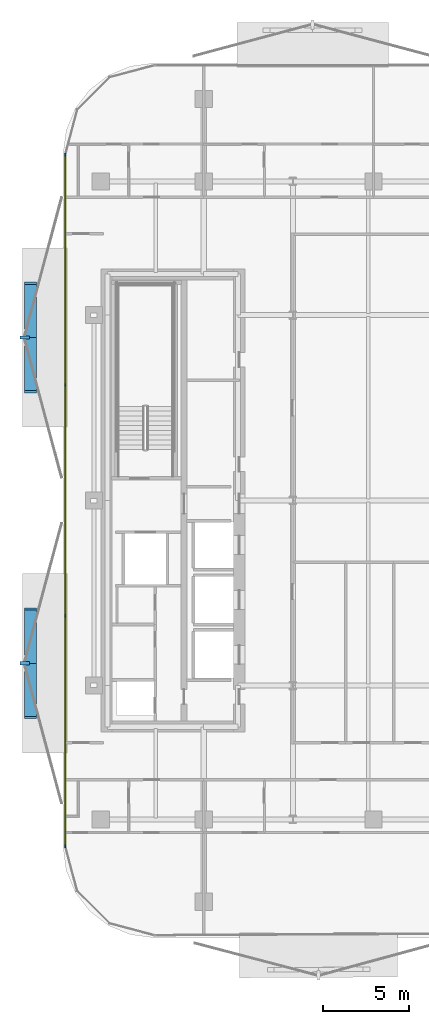
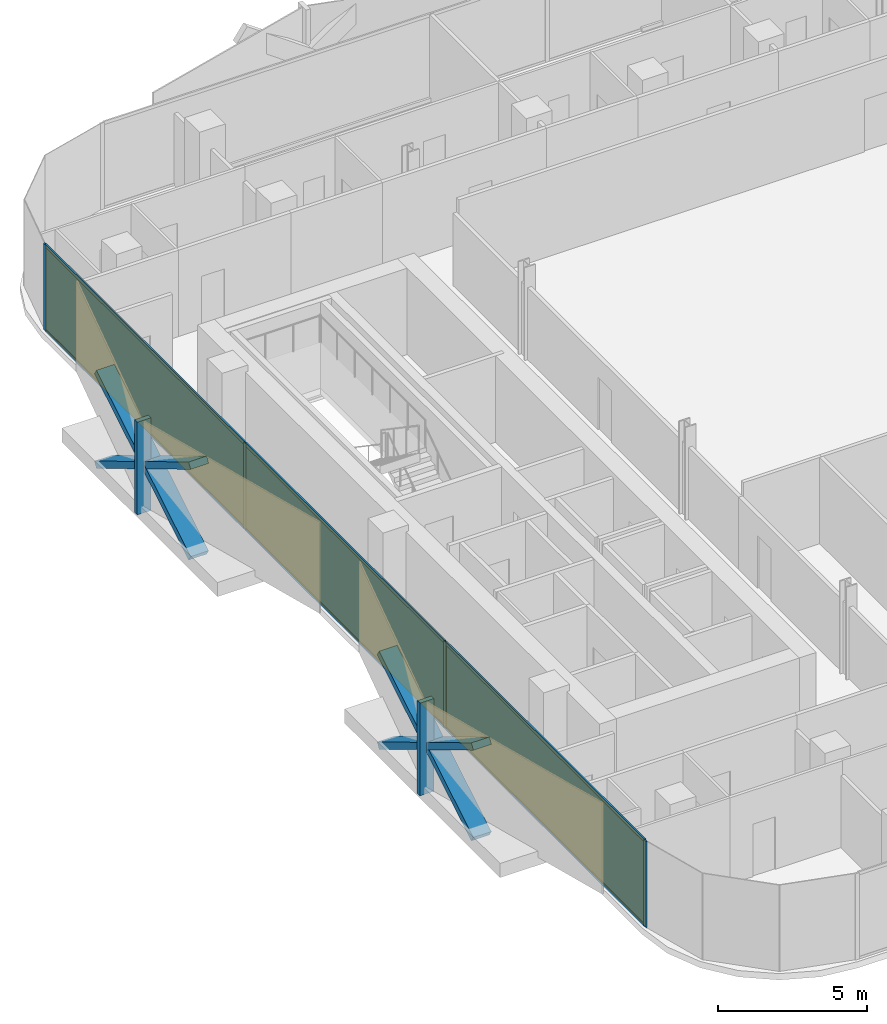
# One storey, part 10 of 17: 16 members, 3 plates, 1 curtain wall.
"""IFC4 building model written with IfcOpenShell, lengths in metres."""

from ifc_helpers import new_model, si_unit, direction, frame, frame_2d, origin, origin_2d, place, context, subcontext, project, spatial, rectangle, extrude, material, layer, layer_set, material_profile, profile_set, type_object, element, aggregate, save


model = new_model("IFC4")

# Units and contexts
model_context = context("Model", 3, precision=1e-05, world=origin(), true_north=direction((0.0, 1.0)))
body_context = subcontext(model_context, "Body", "Model", "MODEL_VIEW")
ifc_project = project(units=[si_unit("LENGTHUNIT", "METRE"), si_unit("AREAUNIT", "SQUARE_METRE"), si_unit("VOLUMEUNIT", "CUBIC_METRE"), si_unit("PLANEANGLEUNIT", "RADIAN"), si_unit("MASSUNIT", "GRAM", prefix="KILO")], contexts=[model_context])

# Member
ifc_material_1 = material(Name="Anodised Bronze Aluminium 6063-T6", Category="aluminium")
ifc_material_profile_1 = material_profile(ifc_material_1, rectangle(XDim=0.260009765625, YDim=0.699951171875, at=origin_2d()))
ifc_profile_set_1 = profile_set([ifc_material_profile_1], Name="Anodised Bronze Aluminium 6063-T6")
member_type_1 = type_object("IfcMemberType", Name="Bronze Diamond Solar-Screen Lattice Rib BDL-700", PredefinedType="MULLION", material=ifc_profile_set_1)
site_placement = place(None, origin())
building_placement = place(site_placement, origin())
storey_placement = place(building_placement, frame((0.0, 0.0, 165.0)))
member_1_placement = place(storey_placement, frame((-24.5, -12.660400390625, -0.1298828125), z_axis=(0.0, 0.857387868219, 0.514670810743), x_axis=(0.0, -0.514670810743, 0.857387868219)))
member_1 = element("IfcMember", 1, at=member_1_placement, type_object=member_type_1, Name="L37 Bronze Diamond Solar Screen Lattice Rib 235A", PredefinedType="MULLION", context=body_context, shape_type="SweptSolid", body=[
    extrude(rectangle(XDim=0.260009765625, YDim=0.699951171875, at=origin_2d()), origin(), (0.0, 0.0, 1.0), 7.383056640625),
])

member_2_placement = place(storey_placement, frame((-24.5, -6.330322265625, -0.1298828125), z_axis=(0.0, -0.857387868219, 0.514670810743), x_axis=(0.0, 0.514670810743, 0.857387868219)))
member_2 = element("IfcMember", 2, at=member_2_placement, type_object=member_type_1, Name="L37 Bronze Diamond Solar Screen Lattice Rib 235B", PredefinedType="MULLION", context=body_context, shape_type="SweptSolid", body=[
    extrude(rectangle(XDim=0.260009765625, YDim=0.699951171875, at=origin_2d()), origin(), (0.0, 0.0, 1.0), 7.383056640625),
])

member_3_placement = place(storey_placement, frame((-24.5, 6.330322265625, -0.1298828125), z_axis=(0.0, 0.857387868219, 0.514670810743), x_axis=(0.0, -0.514670810743, 0.857387868219)))
member_3 = element("IfcMember", 3, at=member_3_placement, type_object=member_type_1, Name="L37 Bronze Diamond Solar Screen Lattice Rib 236A", PredefinedType="MULLION", context=body_context, shape_type="SweptSolid", body=[
    extrude(rectangle(XDim=0.260009765625, YDim=0.699951171875, at=origin_2d()), origin(), (0.0, 0.0, 1.0), 7.383056640625),
])

member_4_placement = place(storey_placement, frame((-24.5, 12.660400390625, -0.1298828125), z_axis=(0.0, -0.857387868219, 0.514670810743), x_axis=(0.0, 0.514670810743, 0.857387868219)))
member_4 = element("IfcMember", 4, at=member_4_placement, type_object=member_type_1, Name="L37 Bronze Diamond Solar Screen Lattice Rib 236B", PredefinedType="MULLION", context=body_context, shape_type="SweptSolid", body=[
    extrude(rectangle(XDim=0.260009765625, YDim=0.699951171875, at=origin_2d()), origin(), (0.0, 0.0, 1.0), 7.383056640625),
])

ifc_material_2 = material(Name="Anodised Bronze Aluminium 6063-T6", Category="aluminium")
ifc_material_profile_2 = material_profile(ifc_material_2, rectangle(XDim=0.179931640625, YDim=0.5400390625, at=origin_2d()))
ifc_profile_set_2 = profile_set([ifc_material_profile_2], Name="Anodised Bronze Aluminium 6063-T6")
member_type_2 = type_object("IfcMemberType", Name="Bronze Solar-Screen Vertical Fold Fin BSF-540", PredefinedType="MULLION", material=ifc_profile_set_2)
member_5_placement = place(storey_placement, frame((-24.840087890625, -9.495361328125, -0.1298828125), z_axis=(0.0, 0.0, 1.0), x_axis=(0.0, 1.0, 0.0)))
member_5 = element("IfcMember", 5, at=member_5_placement, type_object=member_type_2, Name="L37 Bronze Solar Screen Vertical Fin 235", PredefinedType="MULLION", context=body_context, shape_type="SweptSolid", body=[
    extrude(rectangle(XDim=0.179931640625, YDim=0.5400390625, at=origin_2d()), origin(), (0.0, 0.0, 1.0), 3.7998046875),
])

member_6_placement = place(storey_placement, frame((-24.840087890625, 9.495361328125, -0.1298828125), z_axis=(0.0, 0.0, 1.0), x_axis=(0.0, 1.0, 0.0)))
member_6 = element("IfcMember", 6, at=member_6_placement, type_object=member_type_2, Name="L37 Bronze Solar Screen Vertical Fin 236", PredefinedType="MULLION", context=body_context, shape_type="SweptSolid", body=[
    extrude(rectangle(XDim=0.179931640625, YDim=0.5400390625, at=origin_2d()), origin(), (0.0, 0.0, 1.0), 3.7998046875),
])

ifc_material_3 = material(Name="Anodised Bronze Aluminium 6063-T6", Category="aluminium")
ifc_material_profile_3 = material_profile(ifc_material_3, rectangle(XDim=0.06005859375, YDim=0.1650390625, at=origin_2d()))
ifc_profile_set_3 = profile_set([ifc_material_profile_3], Name="Anodised Bronze Aluminium 6063-T6")
member_type_3 = type_object("IfcMemberType", Name="CW-Z3 Mullion 60x165", PredefinedType="MULLION", material=ifc_profile_set_3)
member_7_placement = place(storey_placement, frame((-22.4599609375, -20.160888671875, 0.0), z_axis=(0.0, 0.0, 1.0), x_axis=(-1.0, 0.0, 0.0)))
member_7 = element("IfcMember", 7, at=member_7_placement, type_object=member_type_3, Name="CW-Z3 mullion 1", PredefinedType="MULLION", context=body_context, shape_type="SweptSolid", body=[
    extrude(rectangle(XDim=0.06005859375, YDim=0.1650390625, at=origin_2d()), origin(), (0.0, 0.0, 1.0), 3.5400390625),
])

member_8_placement = place(storey_placement, frame((-22.4599609375, -6.730224609375, 0.0), z_axis=(0.0, 0.0, 1.0), x_axis=(-1.0, 0.0, 0.0)))
member_8 = element("IfcMember", 8, at=member_8_placement, type_object=member_type_3, Name="CW-Z3 mullion 2", PredefinedType="MULLION", context=body_context, shape_type="SweptSolid", body=[
    extrude(rectangle(XDim=0.06005859375, YDim=0.1650390625, at=origin_2d()), origin(), (0.0, 0.0, 1.0), 3.5400390625),
])

member_9_placement = place(storey_placement, frame((-22.4599609375, 6.730224609375, 0.0), z_axis=(0.0, 0.0, 1.0), x_axis=(-1.0, 0.0, 0.0)))
member_9 = element("IfcMember", 9, at=member_9_placement, type_object=member_type_3, Name="CW-Z3 mullion 3", PredefinedType="MULLION", context=body_context, shape_type="SweptSolid", body=[
    extrude(rectangle(XDim=0.06005859375, YDim=0.1650390625, at=origin_2d()), origin(), (0.0, 0.0, 1.0), 3.5400390625),
])

member_10_placement = place(storey_placement, frame((-22.4599609375, 20.160888671875, 0.0), z_axis=(0.0, 0.0, 1.0), x_axis=(-1.0, 0.0, 0.0)))
member_10 = element("IfcMember", 10, at=member_10_placement, type_object=member_type_3, Name="CW-Z3 mullion 4", PredefinedType="MULLION", context=body_context, shape_type="SweptSolid", body=[
    extrude(rectangle(XDim=0.06005859375, YDim=0.1650390625, at=origin_2d()), origin(), (0.0, 0.0, 1.0), 3.5400390625),
])

ifc_material_4 = material(Name="Anodised Bronze Aluminium 6063-T6", Category="aluminium")
ifc_material_profile_4 = material_profile(ifc_material_4, rectangle(XDim=0.06005859375, YDim=0.1298828125, at=origin_2d()))
ifc_profile_set_4 = profile_set([ifc_material_profile_4], Name="Anodised Bronze Aluminium 6063-T6")
member_type_4 = type_object("IfcMemberType", Name="CW-Z3 Transom 60x130", PredefinedType="USERDEFINED", material=ifc_profile_set_4)
member_11_placement = place(storey_placement, frame((-22.4599609375, -20.130859375, 0.030029296875), z_axis=(0.0, 1.0, 0.0), x_axis=(-1.0, 0.0, 0.0)))
member_11 = element("IfcMember", 11, at=member_11_placement, type_object=member_type_4, Name="CW-Z3 transom 1.1", ObjectType="TRANSOM", PredefinedType="USERDEFINED", context=body_context, shape_type="SweptSolid", body=[
    extrude(rectangle(XDim=0.06005859375, YDim=0.1298828125, at=origin_2d()), origin(), (0.0, 0.0, 1.0), 13.37060546875),
])

member_12_placement = place(storey_placement, frame((-22.4599609375, -20.130859375, 3.510009765625), z_axis=(0.0, 1.0, 0.0), x_axis=(-1.0, 0.0, 0.0)))
member_12 = element("IfcMember", 12, at=member_12_placement, type_object=member_type_4, Name="CW-Z3 transom 1.2", ObjectType="TRANSOM", PredefinedType="USERDEFINED", context=body_context, shape_type="SweptSolid", body=[
    extrude(rectangle(XDim=0.06005859375, YDim=0.1298828125, at=origin_2d()), origin(), (0.0, 0.0, 1.0), 13.37060546875),
])

member_13_placement = place(storey_placement, frame((-22.4599609375, -6.7001953125, 0.030029296875), z_axis=(0.0, 1.0, 0.0), x_axis=(-1.0, 0.0, 0.0)))
member_13 = element("IfcMember", 13, at=member_13_placement, type_object=member_type_4, Name="CW-Z3 transom 2.1", ObjectType="TRANSOM", PredefinedType="USERDEFINED", context=body_context, shape_type="SweptSolid", body=[
    extrude(rectangle(XDim=0.06005859375, YDim=0.1298828125, at=origin_2d()), origin(), (0.0, 0.0, 1.0), 13.400390625),
])

member_14_placement = place(storey_placement, frame((-22.4599609375, -6.7001953125, 3.510009765625), z_axis=(0.0, 1.0, 0.0), x_axis=(-1.0, 0.0, 0.0)))
member_14 = element("IfcMember", 14, at=member_14_placement, type_object=member_type_4, Name="CW-Z3 transom 2.2", ObjectType="TRANSOM", PredefinedType="USERDEFINED", context=body_context, shape_type="SweptSolid", body=[
    extrude(rectangle(XDim=0.06005859375, YDim=0.1298828125, at=origin_2d()), origin(), (0.0, 0.0, 1.0), 13.400390625),
])

member_15_placement = place(storey_placement, frame((-22.4599609375, 6.76025390625, 0.030029296875), z_axis=(0.0, 1.0, 0.0), x_axis=(-1.0, 0.0, 0.0)))
member_15 = element("IfcMember", 15, at=member_15_placement, type_object=member_type_4, Name="CW-Z3 transom 3.1", ObjectType="TRANSOM", PredefinedType="USERDEFINED", context=body_context, shape_type="SweptSolid", body=[
    extrude(rectangle(XDim=0.06005859375, YDim=0.1298828125, at=origin_2d()), origin(), (0.0, 0.0, 1.0), 13.37060546875),
])

member_16_placement = place(storey_placement, frame((-22.4599609375, 6.76025390625, 3.510009765625), z_axis=(0.0, 1.0, 0.0), x_axis=(-1.0, 0.0, 0.0)))
member_16 = element("IfcMember", 16, at=member_16_placement, type_object=member_type_4, Name="CW-Z3 transom 3.2", ObjectType="TRANSOM", PredefinedType="USERDEFINED", context=body_context, shape_type="SweptSolid", body=[
    extrude(rectangle(XDim=0.06005859375, YDim=0.1298828125, at=origin_2d()), origin(), (0.0, 0.0, 1.0), 13.37060546875),
])

# Plate
ifc_material_5 = material(Name="Low-E Solar Control Laminated Glass", Category="glass")
ifc_layer_1 = layer(ifc_material_5, 0.030029296875, Name="Low-E Solar Control Laminated Glass")
ifc_layer_set_1 = layer_set([ifc_layer_1], Name="Low-E Solar Control Laminated Glass")
plate_type = type_object("IfcPlateType", Name="CW-Z3 Low-E Double Glazed Panel 30mm", PredefinedType="CURTAIN_PANEL", material=ifc_layer_set_1)
plate_1_placement = place(storey_placement, frame((-22.4599609375, -13.445556640625, 0.06005859375), z_axis=(0.0, 0.0, 1.0), x_axis=(0.0, 1.0, 0.0)))
plate_1 = element("IfcPlate", 17, at=plate_1_placement, type_object=plate_type, Name="CW-Z3 panel 1.1", PredefinedType="CURTAIN_PANEL", context=body_context, shape_type="SweptSolid", body=[
    extrude(rectangle(XDim=13.37060546875, YDim=0.030029296875, at=origin_2d()), origin(), (0.0, 0.0, 1.0), 3.419921875),
])

plate_2_placement = place(storey_placement, frame((-22.4599609375, 0.0, 0.06005859375), z_axis=(0.0, 0.0, 1.0), x_axis=(0.0, 1.0, 0.0)))
plate_2 = element("IfcPlate", 18, at=plate_2_placement, type_object=plate_type, Name="CW-Z3 panel 2.1", PredefinedType="CURTAIN_PANEL", context=body_context, shape_type="SweptSolid", body=[
    extrude(rectangle(XDim=13.400634765625, YDim=0.030029296875, at=origin_2d()), origin(), (0.0, 0.0, 1.0), 3.419921875),
])

plate_3_placement = place(storey_placement, frame((-22.4599609375, 13.445556640625, 0.06005859375), z_axis=(0.0, 0.0, 1.0), x_axis=(0.0, 1.0, 0.0)))
plate_3 = element("IfcPlate", 19, at=plate_3_placement, type_object=plate_type, Name="CW-Z3 panel 3.1", PredefinedType="CURTAIN_PANEL", context=body_context, shape_type="SweptSolid", body=[
    extrude(rectangle(XDim=13.37060546875, YDim=0.030029296875, at=origin_2d()), origin(), (0.0, 0.0, 1.0), 3.419921875),
])

# Site, building, storey
site = spatial("IfcSite", under=ifc_project, at=site_placement, CompositionType="ELEMENT")
building = spatial("IfcBuilding", under=site, at=building_placement, Name="Khairoan Windgate Tower", CompositionType="ELEMENT")
storey = spatial("IfcBuildingStorey", under=building, at=storey_placement, Name="L37", CompositionType="ELEMENT", Elevation=165.0)

# Curtain wall
ifc_material_6 = material(Name="Anodised Bronze Aluminium 6063-T6", Category="aluminium")
ifc_layer_2 = layer(ifc_material_6, 0.1650390625, Name="Anodised Bronze Aluminium 6063-T6")
ifc_layer_set_2 = layer_set([ifc_layer_2], Name="Anodised Bronze Aluminium 6063-T6")
curtain_wall_type = type_object("IfcCurtainWallType", Name="Luxury Hotel Acoustic Curtain Wall CW-Z3", PredefinedType="NOTDEFINED", material=ifc_layer_set_2)
curtain_wall_placement = place(storey_placement, frame((-22.4599609375, -20.19091796875, 0.0), z_axis=(0.0, 0.0, 1.0), x_axis=(0.0, 1.0, 0.0)))
curtain_wall = element("IfcCurtainWall", 20, at=curtain_wall_placement, inside=storey, type_object=curtain_wall_type, Name="L37 Unitised Curtain Wall 5", PredefinedType="NOTDEFINED", context=body_context, shape_type="SweptSolid", body=[
    extrude(rectangle(XDim=40.3818359375, YDim=0.010009765625, at=frame_2d((20.19091796875, 0.0))), origin(), (0.0, 0.0, 1.0), 3.5400390625),
])

aggregate(curtain_wall, [member_7, member_8, member_9, member_10, member_11, member_12, plate_1, member_13, member_14, plate_2, member_15, member_16, plate_3, member_1, member_2, member_5, member_3, member_4, member_6])

save(model, "model.ifc")
